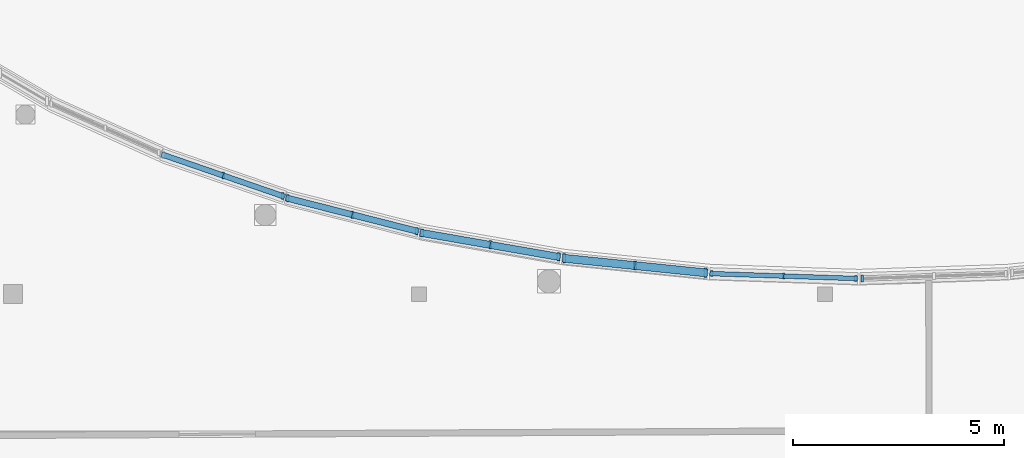
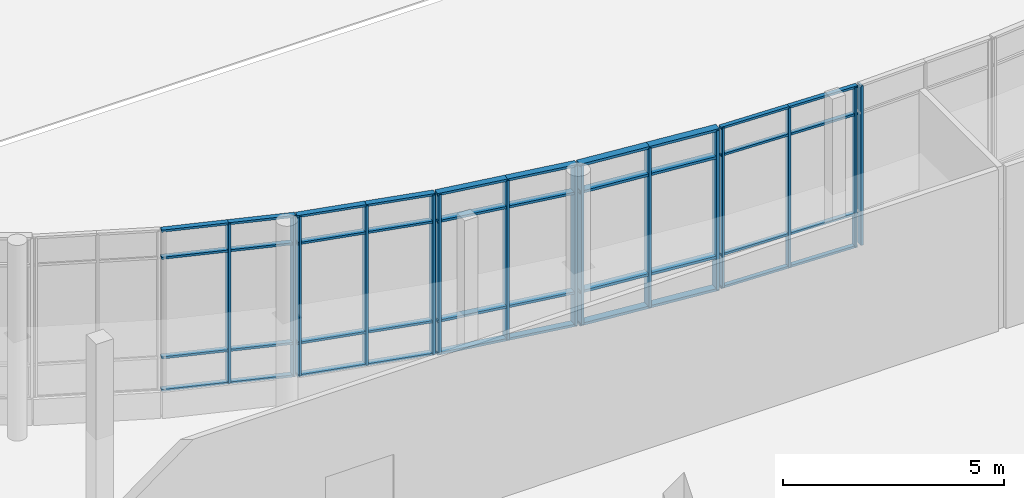
# One storey, part 13 of 84: 55 members, 6 elements without a shape of their own.
"""IFC4 building model written with IfcOpenShell, lengths in metres."""

from ifc_helpers import new_model, si_unit, direction, frame, origin, origin_2d, place, context, subcontext, project, spatial, rectangle, extrude, material, material_profile, profile_set, type_object, element, aggregate, save


model = new_model("IFC4")

# Units and contexts
model_context = context("Model", 3, precision=1e-05, world=origin(), true_north=direction((0.0, 1.0)))
body_context = subcontext(model_context, "Body", "Model", "MODEL_VIEW")
ifc_project = project(units=[si_unit("LENGTHUNIT", "METRE"), si_unit("AREAUNIT", "SQUARE_METRE"), si_unit("VOLUMEUNIT", "CUBIC_METRE"), si_unit("PLANEANGLEUNIT", "RADIAN"), si_unit("MASSUNIT", "GRAM", prefix="KILO")], contexts=[model_context])

# Site, building, storey
site_placement = place(None, origin())
site = spatial("IfcSite", under=ifc_project, at=site_placement, CompositionType="ELEMENT")
building_placement = place(site_placement, origin())
building = spatial("IfcBuilding", under=site, at=building_placement, Name="Mzevani Central Library", CompositionType="ELEMENT")
storey_placement = place(building_placement, origin())
storey = spatial("IfcBuildingStorey", under=building, at=storey_placement, Name="L00", CompositionType="ELEMENT", Elevation=0.0)

# Curtain wall, members
ifc_material_1 = material(Name="Thermally broken aluminium and Low-E triple glazing", Category="aluminium")
curtain_wall_type_1 = type_object("IfcCurtainWallType", Name="Elliptical Court Unitised Curtain Wall", PredefinedType="NOTDEFINED", material=ifc_material_1)
curtain_wall_1_placement = place(storey_placement, origin())
curtain_wall_1 = element("IfcCurtainWall", 1, at=curtain_wall_1_placement, inside=storey, type_object=curtain_wall_type_1, Name="L00 Elliptical Court Curtain Wall 36", PredefinedType="NOTDEFINED")
ifc_material_2 = material(Name="Thermally broken aluminium AW-6060", Category="aluminium")
ifc_material_profile_1 = material_profile(ifc_material_2, rectangle(XDim=0.06005859375, YDim=0.139892578125, at=origin_2d()), Name="ALU M60x140")
ifc_profile_set_1 = profile_set([ifc_material_profile_1], Name="Thermally broken aluminium AW-6060")
member_type_1 = type_object("IfcMemberType", Name="CW Mullion 60x140", PredefinedType="MULLION", material=ifc_profile_set_1)
member_1_placement = place(storey_placement, frame((80.524169921875, 62.0859375, 0.719970703125), z_axis=(0.0, 0.0, 1.0), x_axis=(1.0, 0.0, 0.0)))
member_1 = element("IfcMember", 2, at=member_1_placement, type_object=member_type_1, Name="L00 Elliptical Court Curtain Wall 36 Mullion 1", PredefinedType="MULLION", context=body_context, shape_type="SweptSolid", body=[
    extrude(rectangle(XDim=0.06005859375, YDim=0.139892578125, at=origin_2d()), origin(), (0.0, 0.0, 1.0), 4.400146484375),
])
member_2_placement = place(storey_placement, frame((82.22314453125, 62.028564453125, 0.719970703125), z_axis=(0.0, 0.0, 1.0), x_axis=(1.0, 0.0, 0.0)))
member_2 = element("IfcMember", 3, at=member_2_placement, type_object=member_type_1, Name="L00 Elliptical Court Curtain Wall 36 Mullion 2", PredefinedType="MULLION", context=body_context, shape_type="SweptSolid", body=[
    extrude(rectangle(XDim=0.06005859375, YDim=0.139892578125, at=origin_2d()), origin(), (0.0, 0.0, 1.0), 4.400146484375),
])
member_3_placement = place(storey_placement, frame((83.922119140625, 61.97119140625, 0.719970703125), z_axis=(0.0, 0.0, 1.0), x_axis=(1.0, 0.0, 0.0)))
member_3 = element("IfcMember", 4, at=member_3_placement, type_object=member_type_1, Name="L00 Elliptical Court Curtain Wall 36 Mullion 3", PredefinedType="MULLION", context=body_context, shape_type="SweptSolid", body=[
    extrude(rectangle(XDim=0.06005859375, YDim=0.139892578125, at=origin_2d()), origin(), (0.0, 0.0, 1.0), 4.400146484375),
])

curtain_wall_2_placement = place(storey_placement, origin())
curtain_wall_2 = element("IfcCurtainWall", 5, at=curtain_wall_2_placement, inside=storey, type_object=curtain_wall_type_1, Name="L00 Elliptical Court Curtain Wall 32", PredefinedType="NOTDEFINED")
ifc_material_profile_2 = material_profile(ifc_material_2, rectangle(XDim=0.06005859375, YDim=0.159912109375, at=origin_2d()), Name="ALU M60x160")
ifc_profile_set_2 = profile_set([ifc_material_profile_2], Name="Thermally broken aluminium AW-6060")
member_type_2 = type_object("IfcMemberType", Name="CW Mullion 60x160", PredefinedType="MULLION", material=ifc_profile_set_2)
member_4_placement = place(storey_placement, frame((68.968505859375, 64.40576171875, 0.719970703125), z_axis=(0.0, 0.0, 1.0), x_axis=(1.0, 0.0, 0.0)))
member_4 = element("IfcMember", 6, at=member_4_placement, type_object=member_type_2, Name="L00 Elliptical Court Curtain Wall 32 Mullion 2", PredefinedType="MULLION", context=body_context, shape_type="SweptSolid", body=[
    extrude(rectangle(XDim=0.06005859375, YDim=0.159912109375, at=origin_2d()), origin(), (0.0, 0.0, 1.0), 4.400146484375),
])
member_5_placement = place(storey_placement, frame((70.37841796875, 63.920166015625, 0.719970703125), z_axis=(0.0, 0.0, 1.0), x_axis=(1.0, 0.0, 0.0)))
member_5 = element("IfcMember", 7, at=member_5_placement, type_object=member_type_2, Name="L00 Elliptical Court Curtain Wall 32 Mullion 3", PredefinedType="MULLION", context=body_context, shape_type="SweptSolid", body=[
    extrude(rectangle(XDim=0.06005859375, YDim=0.159912109375, at=origin_2d()), origin(), (0.0, 0.0, 1.0), 4.400146484375),
])

# Curtain wall, member
curtain_wall_type_2 = type_object("IfcCurtainWallType", Name="Reading Hall Northlight Curtain Wall", PredefinedType="NOTDEFINED", material=ifc_material_1)
curtain_wall_3_placement = place(storey_placement, origin())
curtain_wall_3 = element("IfcCurtainWall", 8, at=curtain_wall_3_placement, inside=storey, type_object=curtain_wall_type_2, Name="L00 Elliptical Court Curtain Wall 37", PredefinedType="NOTDEFINED")
member_6_placement = place(storey_placement, frame((84.077880859375, 61.97119140625, 0.719970703125), z_axis=(0.0, 0.0, 1.0), x_axis=(1.0, 0.0, 0.0)))
member_6 = element("IfcMember", 9, at=member_6_placement, type_object=member_type_2, Name="L00 Elliptical Court Curtain Wall 37 Mullion 1", PredefinedType="MULLION", context=body_context, shape_type="SweptSolid", body=[
    extrude(rectangle(XDim=0.06005859375, YDim=0.159912109375, at=origin_2d()), origin(), (0.0, 0.0, 1.0), 4.400146484375),
])
aggregate(curtain_wall_3, [member_6])

# Curtain wall, members
curtain_wall_4_placement = place(storey_placement, origin())
curtain_wall_4 = element("IfcCurtainWall", 10, at=curtain_wall_4_placement, inside=storey, type_object=curtain_wall_type_1, Name="L00 Elliptical Court Curtain Wall 33", PredefinedType="NOTDEFINED")
ifc_material_profile_3 = material_profile(ifc_material_2, rectangle(XDim=0.06005859375, YDim=0.179931640625, at=origin_2d()), Name="ALU M60x180")
ifc_profile_set_3 = profile_set([ifc_material_profile_3], Name="Thermally broken aluminium AW-6060")
member_type_3 = type_object("IfcMemberType", Name="CW Mullion 60x180", PredefinedType="MULLION", material=ifc_profile_set_3)
member_7_placement = place(storey_placement, frame((70.496337890625, 63.866943359375, 0.719970703125), z_axis=(0.0, 0.0, 1.0), x_axis=(1.0, 0.0, 0.0)))
member_7 = element("IfcMember", 11, at=member_7_placement, type_object=member_type_3, Name="L00 Elliptical Court Curtain Wall 33 Mullion 1", PredefinedType="MULLION", context=body_context, shape_type="SweptSolid", body=[
    extrude(rectangle(XDim=0.06005859375, YDim=0.179931640625, at=origin_2d()), origin(), (0.0, 0.0, 1.0), 4.400146484375),
])
member_8_placement = place(storey_placement, frame((72.02001953125, 63.479736328125, 0.719970703125), z_axis=(0.0, 0.0, 1.0), x_axis=(1.0, 0.0, 0.0)))
member_8 = element("IfcMember", 12, at=member_8_placement, type_object=member_type_3, Name="L00 Elliptical Court Curtain Wall 33 Mullion 2", PredefinedType="MULLION", context=body_context, shape_type="SweptSolid", body=[
    extrude(rectangle(XDim=0.06005859375, YDim=0.179931640625, at=origin_2d()), origin(), (0.0, 0.0, 1.0), 4.400146484375),
])
member_9_placement = place(storey_placement, frame((73.54345703125, 63.092529296875, 0.719970703125), z_axis=(0.0, 0.0, 1.0), x_axis=(1.0, 0.0, 0.0)))
member_9 = element("IfcMember", 13, at=member_9_placement, type_object=member_type_3, Name="L00 Elliptical Court Curtain Wall 33 Mullion 3", PredefinedType="MULLION", context=body_context, shape_type="SweptSolid", body=[
    extrude(rectangle(XDim=0.06005859375, YDim=0.179931640625, at=origin_2d()), origin(), (0.0, 0.0, 1.0), 4.400146484375),
])

curtain_wall_5_placement = place(storey_placement, origin())
curtain_wall_5 = element("IfcCurtainWall", 14, at=curtain_wall_5_placement, inside=storey, type_object=curtain_wall_type_2, Name="L00 Elliptical Court Curtain Wall 34", PredefinedType="NOTDEFINED")
ifc_material_profile_4 = material_profile(ifc_material_2, rectangle(XDim=0.06494140625, YDim=0.199951171875, at=origin_2d()), Name="ALU M65x200")
ifc_profile_set_4 = profile_set([ifc_material_profile_4], Name="Thermally broken aluminium AW-6060")
member_type_4 = type_object("IfcMemberType", Name="CW Mullion 65x200", PredefinedType="MULLION", material=ifc_profile_set_4)
member_10_placement = place(storey_placement, frame((73.67236328125, 63.046875, 0.719970703125), z_axis=(0.0, 0.0, 1.0), x_axis=(1.0, 0.0, 0.0)))
member_10 = element("IfcMember", 15, at=member_10_placement, type_object=member_type_4, Name="L00 Elliptical Court Curtain Wall 34 Mullion 1", PredefinedType="MULLION", context=body_context, shape_type="SweptSolid", body=[
    extrude(rectangle(XDim=0.06494140625, YDim=0.199951171875, at=origin_2d()), origin(), (0.0, 0.0, 1.0), 4.400146484375),
])
member_11_placement = place(storey_placement, frame((75.282958984375, 62.764892578125, 0.719970703125), z_axis=(0.0, 0.0, 1.0), x_axis=(1.0, 0.0, 0.0)))
member_11 = element("IfcMember", 16, at=member_11_placement, type_object=member_type_4, Name="L00 Elliptical Court Curtain Wall 34 Mullion 2", PredefinedType="MULLION", context=body_context, shape_type="SweptSolid", body=[
    extrude(rectangle(XDim=0.06494140625, YDim=0.199951171875, at=origin_2d()), origin(), (0.0, 0.0, 1.0), 4.400146484375),
])
member_12_placement = place(storey_placement, frame((76.893310546875, 62.483154296875, 0.719970703125), z_axis=(0.0, 0.0, 1.0), x_axis=(1.0, 0.0, 0.0)))
member_12 = element("IfcMember", 17, at=member_12_placement, type_object=member_type_4, Name="L00 Elliptical Court Curtain Wall 34 Mullion 3", PredefinedType="MULLION", context=body_context, shape_type="SweptSolid", body=[
    extrude(rectangle(XDim=0.06494140625, YDim=0.199951171875, at=origin_2d()), origin(), (0.0, 0.0, 1.0), 4.400146484375),
])

curtain_wall_6_placement = place(storey_placement, origin())
curtain_wall_6 = element("IfcCurtainWall", 18, at=curtain_wall_6_placement, inside=storey, type_object=curtain_wall_type_1, Name="L00 Elliptical Court Curtain Wall 35", PredefinedType="NOTDEFINED")
ifc_material_profile_5 = material_profile(ifc_material_2, rectangle(XDim=0.070068359375, YDim=0.219970703125, at=origin_2d()), Name="ALU M70x220")
ifc_profile_set_5 = profile_set([ifc_material_profile_5], Name="Thermally broken aluminium AW-6060")
member_type_5 = type_object("IfcMemberType", Name="CW Mullion 70x220", PredefinedType="MULLION", material=ifc_profile_set_5)
member_13_placement = place(storey_placement, frame((77.0341796875, 62.447998046875, 0.719970703125), z_axis=(0.0, 0.0, 1.0), x_axis=(1.0, 0.0, 0.0)))
member_13 = element("IfcMember", 19, at=member_13_placement, type_object=member_type_5, Name="L00 Elliptical Court Curtain Wall 35 Mullion 1", PredefinedType="MULLION", context=body_context, shape_type="SweptSolid", body=[
    extrude(rectangle(XDim=0.070068359375, YDim=0.219970703125, at=origin_2d()), origin(), (0.0, 0.0, 1.0), 4.400146484375),
])
member_14_placement = place(storey_placement, frame((78.70361328125, 62.27685546875, 0.719970703125), z_axis=(0.0, 0.0, 1.0), x_axis=(1.0, 0.0, 0.0)))
member_14 = element("IfcMember", 20, at=member_14_placement, type_object=member_type_5, Name="L00 Elliptical Court Curtain Wall 35 Mullion 2", PredefinedType="MULLION", context=body_context, shape_type="SweptSolid", body=[
    extrude(rectangle(XDim=0.070068359375, YDim=0.219970703125, at=origin_2d()), origin(), (0.0, 0.0, 1.0), 4.400146484375),
])
member_15_placement = place(storey_placement, frame((80.373046875, 62.105712890625, 0.719970703125), z_axis=(0.0, 0.0, 1.0), x_axis=(1.0, 0.0, 0.0)))
member_15 = element("IfcMember", 21, at=member_15_placement, type_object=member_type_5, Name="L00 Elliptical Court Curtain Wall 35 Mullion 3", PredefinedType="MULLION", context=body_context, shape_type="SweptSolid", body=[
    extrude(rectangle(XDim=0.070068359375, YDim=0.219970703125, at=origin_2d()), origin(), (0.0, 0.0, 1.0), 4.400146484375),
])

# Member
ifc_material_profile_6 = material_profile(ifc_material_2, rectangle(XDim=0.110107421875, YDim=0.06005859375, at=origin_2d()), Name="ALU T60x110")
ifc_profile_set_6 = profile_set([ifc_material_profile_6], Name="Thermally broken aluminium AW-6060")
member_type_6 = type_object("IfcMemberType", Name="CW Transom 60x110", PredefinedType="USERDEFINED", material=ifc_profile_set_6)
member_16_placement = place(storey_placement, frame((80.47412109375, 62.087646484375, 0.719970703125), z_axis=(0.999429943241, -0.033760754643, 0.0), x_axis=(0.033760754643, 0.999429943241, 0.0)))
member_16 = element("IfcMember", 22, at=member_16_placement, type_object=member_type_6, Name="L00 Elliptical Court Curtain Wall 36 Transom 1", ObjectType="TRANSOM", PredefinedType="USERDEFINED", context=body_context, shape_type="SweptSolid", body=[
    extrude(rectangle(XDim=0.110107421875, YDim=0.06005859375, at=origin_2d()), origin(), (0.0, 0.0, 1.0), 1.75),
])

member_17_placement = place(storey_placement, frame((80.47412109375, 62.087646484375, 1.6201171875), z_axis=(0.999429943241, -0.033760754643, 0.0), x_axis=(0.033760754643, 0.999429943241, 0.0)))
member_17 = element("IfcMember", 23, at=member_17_placement, type_object=member_type_6, Name="L00 Elliptical Court Curtain Wall 36 Transom 2", ObjectType="TRANSOM", PredefinedType="USERDEFINED", context=body_context, shape_type="SweptSolid", body=[
    extrude(rectangle(XDim=0.110107421875, YDim=0.06005859375, at=origin_2d()), origin(), (0.0, 0.0, 1.0), 1.75),
])

member_18_placement = place(storey_placement, frame((80.47412109375, 62.087646484375, 4.3701171875), z_axis=(0.999429943241, -0.033760754643, 0.0), x_axis=(0.033760754643, 0.999429943241, 0.0)))
member_18 = element("IfcMember", 24, at=member_18_placement, type_object=member_type_6, Name="L00 Elliptical Court Curtain Wall 36 Transom 3", ObjectType="TRANSOM", PredefinedType="USERDEFINED", context=body_context, shape_type="SweptSolid", body=[
    extrude(rectangle(XDim=0.110107421875, YDim=0.06005859375, at=origin_2d()), origin(), (0.0, 0.0, 1.0), 1.75),
])

member_19_placement = place(storey_placement, frame((80.47412109375, 62.087646484375, 5.1201171875), z_axis=(0.999429943241, -0.033760754643, 0.0), x_axis=(0.033760754643, 0.999429943241, 0.0)))
member_19 = element("IfcMember", 25, at=member_19_placement, type_object=member_type_6, Name="L00 Elliptical Court Curtain Wall 36 Transom 4", ObjectType="TRANSOM", PredefinedType="USERDEFINED", context=body_context, shape_type="SweptSolid", body=[
    extrude(rectangle(XDim=0.110107421875, YDim=0.06005859375, at=origin_2d()), origin(), (0.0, 0.0, 1.0), 1.75),
])

member_20_placement = place(storey_placement, frame((82.22314453125, 62.028564453125, 0.719970703125), z_axis=(0.999429943241, -0.033760754643, 0.0), x_axis=(0.033760754643, 0.999429943241, 0.0)))
member_20 = element("IfcMember", 26, at=member_20_placement, type_object=member_type_6, Name="L00 Elliptical Court Curtain Wall 36 Transom 5", ObjectType="TRANSOM", PredefinedType="USERDEFINED", context=body_context, shape_type="SweptSolid", body=[
    extrude(rectangle(XDim=0.110107421875, YDim=0.06005859375, at=origin_2d()), origin(), (0.0, 0.0, 1.0), 1.75),
])

member_21_placement = place(storey_placement, frame((82.22314453125, 62.028564453125, 1.6201171875), z_axis=(0.999429943241, -0.033760754643, 0.0), x_axis=(0.033760754643, 0.999429943241, 0.0)))
member_21 = element("IfcMember", 27, at=member_21_placement, type_object=member_type_6, Name="L00 Elliptical Court Curtain Wall 36 Transom 6", ObjectType="TRANSOM", PredefinedType="USERDEFINED", context=body_context, shape_type="SweptSolid", body=[
    extrude(rectangle(XDim=0.110107421875, YDim=0.06005859375, at=origin_2d()), origin(), (0.0, 0.0, 1.0), 1.75),
])

member_22_placement = place(storey_placement, frame((82.22314453125, 62.028564453125, 4.3701171875), z_axis=(0.999429943241, -0.033760754643, 0.0), x_axis=(0.033760754643, 0.999429943241, 0.0)))
member_22 = element("IfcMember", 28, at=member_22_placement, type_object=member_type_6, Name="L00 Elliptical Court Curtain Wall 36 Transom 7", ObjectType="TRANSOM", PredefinedType="USERDEFINED", context=body_context, shape_type="SweptSolid", body=[
    extrude(rectangle(XDim=0.110107421875, YDim=0.06005859375, at=origin_2d()), origin(), (0.0, 0.0, 1.0), 1.75),
])

member_23_placement = place(storey_placement, frame((82.22314453125, 62.028564453125, 5.1201171875), z_axis=(0.999429943241, -0.033760754643, 0.0), x_axis=(0.033760754643, 0.999429943241, 0.0)))
member_23 = element("IfcMember", 29, at=member_23_placement, type_object=member_type_6, Name="L00 Elliptical Court Curtain Wall 36 Transom 8", ObjectType="TRANSOM", PredefinedType="USERDEFINED", context=body_context, shape_type="SweptSolid", body=[
    extrude(rectangle(XDim=0.110107421875, YDim=0.06005859375, at=origin_2d()), origin(), (0.0, 0.0, 1.0), 1.75),
])

aggregate(curtain_wall_1, [member_1, member_2, member_3, member_16, member_17, member_18, member_19, member_20, member_21, member_22, member_23])

ifc_material_profile_7 = material_profile(ifc_material_2, rectangle(XDim=0.1298828125, YDim=0.06005859375, at=origin_2d()), Name="ALU T60x130")
ifc_profile_set_7 = profile_set([ifc_material_profile_7], Name="Thermally broken aluminium AW-6060")
member_type_7 = type_object("IfcMemberType", Name="CW Transom 60x130", PredefinedType="USERDEFINED", material=ifc_profile_set_7)
member_24_placement = place(storey_placement, frame((67.510986328125, 64.90771484375, 0.719970703125), z_axis=(0.945500820927, -0.325619713204, 0.0), x_axis=(0.325619713204, 0.945500820927, 0.0)))
member_24 = element("IfcMember", 30, at=member_24_placement, type_object=member_type_7, Name="L00 Elliptical Court Curtain Wall 32 Transom 1", ObjectType="TRANSOM", PredefinedType="USERDEFINED", context=body_context, shape_type="SweptSolid", body=[
    extrude(rectangle(XDim=0.1298828125, YDim=0.06005859375, at=origin_2d()), origin(), (0.0, 0.0, 1.0), 1.54150390625),
])

member_25_placement = place(storey_placement, frame((67.510986328125, 64.90771484375, 1.6201171875), z_axis=(0.945500820927, -0.325619713204, 0.0), x_axis=(0.325619713204, 0.945500820927, 0.0)))
member_25 = element("IfcMember", 31, at=member_25_placement, type_object=member_type_7, Name="L00 Elliptical Court Curtain Wall 32 Transom 2", ObjectType="TRANSOM", PredefinedType="USERDEFINED", context=body_context, shape_type="SweptSolid", body=[
    extrude(rectangle(XDim=0.1298828125, YDim=0.06005859375, at=origin_2d()), origin(), (0.0, 0.0, 1.0), 1.54150390625),
])

member_26_placement = place(storey_placement, frame((67.510986328125, 64.90771484375, 4.3701171875), z_axis=(0.945500820927, -0.325619713204, 0.0), x_axis=(0.325619713204, 0.945500820927, 0.0)))
member_26 = element("IfcMember", 32, at=member_26_placement, type_object=member_type_7, Name="L00 Elliptical Court Curtain Wall 32 Transom 3", ObjectType="TRANSOM", PredefinedType="USERDEFINED", context=body_context, shape_type="SweptSolid", body=[
    extrude(rectangle(XDim=0.1298828125, YDim=0.06005859375, at=origin_2d()), origin(), (0.0, 0.0, 1.0), 1.54150390625),
])

member_27_placement = place(storey_placement, frame((67.510986328125, 64.90771484375, 5.1201171875), z_axis=(0.945500820927, -0.325619713204, 0.0), x_axis=(0.325619713204, 0.945500820927, 0.0)))
member_27 = element("IfcMember", 33, at=member_27_placement, type_object=member_type_7, Name="L00 Elliptical Court Curtain Wall 32 Transom 4", ObjectType="TRANSOM", PredefinedType="USERDEFINED", context=body_context, shape_type="SweptSolid", body=[
    extrude(rectangle(XDim=0.1298828125, YDim=0.06005859375, at=origin_2d()), origin(), (0.0, 0.0, 1.0), 1.54150390625),
])

member_28_placement = place(storey_placement, frame((68.968505859375, 64.40576171875, 0.719970703125), z_axis=(0.945484024902, -0.325668479678, 0.0), x_axis=(0.325668479678, 0.945484024902, 0.0)))
member_28 = element("IfcMember", 34, at=member_28_placement, type_object=member_type_7, Name="L00 Elliptical Court Curtain Wall 32 Transom 5", ObjectType="TRANSOM", PredefinedType="USERDEFINED", context=body_context, shape_type="SweptSolid", body=[
    extrude(rectangle(XDim=0.1298828125, YDim=0.06005859375, at=origin_2d()), origin(), (0.0, 0.0, 1.0), 1.541259765625),
])

member_29_placement = place(storey_placement, frame((68.968505859375, 64.40576171875, 1.6201171875), z_axis=(0.945484024902, -0.325668479678, 0.0), x_axis=(0.325668479678, 0.945484024902, 0.0)))
member_29 = element("IfcMember", 35, at=member_29_placement, type_object=member_type_7, Name="L00 Elliptical Court Curtain Wall 32 Transom 6", ObjectType="TRANSOM", PredefinedType="USERDEFINED", context=body_context, shape_type="SweptSolid", body=[
    extrude(rectangle(XDim=0.1298828125, YDim=0.06005859375, at=origin_2d()), origin(), (0.0, 0.0, 1.0), 1.541259765625),
])

member_30_placement = place(storey_placement, frame((68.968505859375, 64.40576171875, 4.3701171875), z_axis=(0.945484024902, -0.325668479678, 0.0), x_axis=(0.325668479678, 0.945484024902, 0.0)))
member_30 = element("IfcMember", 36, at=member_30_placement, type_object=member_type_7, Name="L00 Elliptical Court Curtain Wall 32 Transom 7", ObjectType="TRANSOM", PredefinedType="USERDEFINED", context=body_context, shape_type="SweptSolid", body=[
    extrude(rectangle(XDim=0.1298828125, YDim=0.06005859375, at=origin_2d()), origin(), (0.0, 0.0, 1.0), 1.541259765625),
])

member_31_placement = place(storey_placement, frame((68.968505859375, 64.40576171875, 5.1201171875), z_axis=(0.945484024902, -0.325668479678, 0.0), x_axis=(0.325668479678, 0.945484024902, 0.0)))
member_31 = element("IfcMember", 37, at=member_31_placement, type_object=member_type_7, Name="L00 Elliptical Court Curtain Wall 32 Transom 8", ObjectType="TRANSOM", PredefinedType="USERDEFINED", context=body_context, shape_type="SweptSolid", body=[
    extrude(rectangle(XDim=0.1298828125, YDim=0.06005859375, at=origin_2d()), origin(), (0.0, 0.0, 1.0), 1.541259765625),
])

aggregate(curtain_wall_2, [member_4, member_5, member_24, member_25, member_26, member_27, member_28, member_29, member_30, member_31])

ifc_material_profile_8 = material_profile(ifc_material_2, rectangle(XDim=0.14990234375, YDim=0.06005859375, at=origin_2d()), Name="ALU T60x150")
ifc_profile_set_8 = profile_set([ifc_material_profile_8], Name="Thermally broken aluminium AW-6060")
member_type_8 = type_object("IfcMemberType", Name="CW Transom 60x150", PredefinedType="USERDEFINED", material=ifc_profile_set_8)
member_32_placement = place(storey_placement, frame((70.447998046875, 63.879150390625, 0.719970703125), z_axis=(0.969205683279, -0.246252601001, 0.0), x_axis=(0.246252601001, 0.969205683279, 0.0)))
member_32 = element("IfcMember", 38, at=member_32_placement, type_object=member_type_8, Name="L00 Elliptical Court Curtain Wall 33 Transom 1", ObjectType="TRANSOM", PredefinedType="USERDEFINED", context=body_context, shape_type="SweptSolid", body=[
    extrude(rectangle(XDim=0.14990234375, YDim=0.06005859375, at=origin_2d()), origin(), (0.0, 0.0, 1.0), 1.6220703125),
])

member_33_placement = place(storey_placement, frame((70.447998046875, 63.879150390625, 1.6201171875), z_axis=(0.969205683279, -0.246252601001, 0.0), x_axis=(0.246252601001, 0.969205683279, 0.0)))
member_33 = element("IfcMember", 39, at=member_33_placement, type_object=member_type_8, Name="L00 Elliptical Court Curtain Wall 33 Transom 2", ObjectType="TRANSOM", PredefinedType="USERDEFINED", context=body_context, shape_type="SweptSolid", body=[
    extrude(rectangle(XDim=0.14990234375, YDim=0.06005859375, at=origin_2d()), origin(), (0.0, 0.0, 1.0), 1.6220703125),
])

member_34_placement = place(storey_placement, frame((70.447998046875, 63.879150390625, 4.3701171875), z_axis=(0.969205683279, -0.246252601001, 0.0), x_axis=(0.246252601001, 0.969205683279, 0.0)))
member_34 = element("IfcMember", 40, at=member_34_placement, type_object=member_type_8, Name="L00 Elliptical Court Curtain Wall 33 Transom 3", ObjectType="TRANSOM", PredefinedType="USERDEFINED", context=body_context, shape_type="SweptSolid", body=[
    extrude(rectangle(XDim=0.14990234375, YDim=0.06005859375, at=origin_2d()), origin(), (0.0, 0.0, 1.0), 1.6220703125),
])

member_35_placement = place(storey_placement, frame((70.447998046875, 63.879150390625, 5.1201171875), z_axis=(0.969205683279, -0.246252601001, 0.0), x_axis=(0.246252601001, 0.969205683279, 0.0)))
member_35 = element("IfcMember", 41, at=member_35_placement, type_object=member_type_8, Name="L00 Elliptical Court Curtain Wall 33 Transom 4", ObjectType="TRANSOM", PredefinedType="USERDEFINED", context=body_context, shape_type="SweptSolid", body=[
    extrude(rectangle(XDim=0.14990234375, YDim=0.06005859375, at=origin_2d()), origin(), (0.0, 0.0, 1.0), 1.6220703125),
])

member_36_placement = place(storey_placement, frame((72.02001953125, 63.479736328125, 0.719970703125), z_axis=(0.969169749502, -0.246393986634, 0.0), x_axis=(0.246393986634, 0.969169749502, 0.0)))
member_36 = element("IfcMember", 42, at=member_36_placement, type_object=member_type_8, Name="L00 Elliptical Court Curtain Wall 33 Transom 5", ObjectType="TRANSOM", PredefinedType="USERDEFINED", context=body_context, shape_type="SweptSolid", body=[
    extrude(rectangle(XDim=0.14990234375, YDim=0.06005859375, at=origin_2d()), origin(), (0.0, 0.0, 1.0), 1.6220703125),
])

member_37_placement = place(storey_placement, frame((72.02001953125, 63.479736328125, 1.6201171875), z_axis=(0.969169749502, -0.246393986634, 0.0), x_axis=(0.246393986634, 0.969169749502, 0.0)))
member_37 = element("IfcMember", 43, at=member_37_placement, type_object=member_type_8, Name="L00 Elliptical Court Curtain Wall 33 Transom 6", ObjectType="TRANSOM", PredefinedType="USERDEFINED", context=body_context, shape_type="SweptSolid", body=[
    extrude(rectangle(XDim=0.14990234375, YDim=0.06005859375, at=origin_2d()), origin(), (0.0, 0.0, 1.0), 1.6220703125),
])

member_38_placement = place(storey_placement, frame((72.02001953125, 63.479736328125, 4.3701171875), z_axis=(0.969169749502, -0.246393986634, 0.0), x_axis=(0.246393986634, 0.969169749502, 0.0)))
member_38 = element("IfcMember", 44, at=member_38_placement, type_object=member_type_8, Name="L00 Elliptical Court Curtain Wall 33 Transom 7", ObjectType="TRANSOM", PredefinedType="USERDEFINED", context=body_context, shape_type="SweptSolid", body=[
    extrude(rectangle(XDim=0.14990234375, YDim=0.06005859375, at=origin_2d()), origin(), (0.0, 0.0, 1.0), 1.6220703125),
])

member_39_placement = place(storey_placement, frame((72.02001953125, 63.479736328125, 5.1201171875), z_axis=(0.969169749502, -0.246393986634, 0.0), x_axis=(0.246393986634, 0.969169749502, 0.0)))
member_39 = element("IfcMember", 45, at=member_39_placement, type_object=member_type_8, Name="L00 Elliptical Court Curtain Wall 33 Transom 8", ObjectType="TRANSOM", PredefinedType="USERDEFINED", context=body_context, shape_type="SweptSolid", body=[
    extrude(rectangle(XDim=0.14990234375, YDim=0.06005859375, at=origin_2d()), origin(), (0.0, 0.0, 1.0), 1.6220703125),
])

aggregate(curtain_wall_4, [member_7, member_8, member_9, member_32, member_33, member_34, member_35, member_36, member_37, member_38, member_39])

ifc_material_profile_9 = material_profile(ifc_material_2, rectangle(XDim=0.169921875, YDim=0.06494140625, at=origin_2d()), Name="ALU T65x170")
ifc_profile_set_9 = profile_set([ifc_material_profile_9], Name="Thermally broken aluminium AW-6060")
member_type_9 = type_object("IfcMemberType", Name="CW Transom 65x170", PredefinedType="USERDEFINED", material=ifc_profile_set_9)
member_40_placement = place(storey_placement, frame((73.623046875, 63.055419921875, 0.719970703125), z_axis=(0.985026161799, -0.172404931981, 0.0), x_axis=(0.172404931981, 0.985026161799, 0.0)))
member_40 = element("IfcMember", 46, at=member_40_placement, type_object=member_type_9, Name="L00 Elliptical Court Curtain Wall 34 Transom 1", ObjectType="TRANSOM", PredefinedType="USERDEFINED", context=body_context, shape_type="SweptSolid", body=[
    extrude(rectangle(XDim=0.169921875, YDim=0.06494140625, at=origin_2d()), origin(), (0.0, 0.0, 1.0), 1.68505859375),
])

member_41_placement = place(storey_placement, frame((73.623046875, 63.055419921875, 1.6201171875), z_axis=(0.985026161799, -0.172404931981, 0.0), x_axis=(0.172404931981, 0.985026161799, 0.0)))
member_41 = element("IfcMember", 47, at=member_41_placement, type_object=member_type_9, Name="L00 Elliptical Court Curtain Wall 34 Transom 2", ObjectType="TRANSOM", PredefinedType="USERDEFINED", context=body_context, shape_type="SweptSolid", body=[
    extrude(rectangle(XDim=0.169921875, YDim=0.06494140625, at=origin_2d()), origin(), (0.0, 0.0, 1.0), 1.68505859375),
])

member_42_placement = place(storey_placement, frame((73.623046875, 63.055419921875, 4.3701171875), z_axis=(0.985026161799, -0.172404931981, 0.0), x_axis=(0.172404931981, 0.985026161799, 0.0)))
member_42 = element("IfcMember", 48, at=member_42_placement, type_object=member_type_9, Name="L00 Elliptical Court Curtain Wall 34 Transom 3", ObjectType="TRANSOM", PredefinedType="USERDEFINED", context=body_context, shape_type="SweptSolid", body=[
    extrude(rectangle(XDim=0.169921875, YDim=0.06494140625, at=origin_2d()), origin(), (0.0, 0.0, 1.0), 1.68505859375),
])

member_43_placement = place(storey_placement, frame((73.623046875, 63.055419921875, 5.1201171875), z_axis=(0.985026161799, -0.172404931981, 0.0), x_axis=(0.172404931981, 0.985026161799, 0.0)))
member_43 = element("IfcMember", 49, at=member_43_placement, type_object=member_type_9, Name="L00 Elliptical Court Curtain Wall 34 Transom 4", ObjectType="TRANSOM", PredefinedType="USERDEFINED", context=body_context, shape_type="SweptSolid", body=[
    extrude(rectangle(XDim=0.169921875, YDim=0.06494140625, at=origin_2d()), origin(), (0.0, 0.0, 1.0), 1.68505859375),
])

member_44_placement = place(storey_placement, frame((75.282958984375, 62.764892578125, 0.719970703125), z_axis=(0.985046455782, -0.172288943208, 0.0), x_axis=(0.172288943208, 0.985046455782, 0.0)))
member_44 = element("IfcMember", 50, at=member_44_placement, type_object=member_type_9, Name="L00 Elliptical Court Curtain Wall 34 Transom 5", ObjectType="TRANSOM", PredefinedType="USERDEFINED", context=body_context, shape_type="SweptSolid", body=[
    extrude(rectangle(XDim=0.169921875, YDim=0.06494140625, at=origin_2d()), origin(), (0.0, 0.0, 1.0), 1.684814453125),
])

member_45_placement = place(storey_placement, frame((75.282958984375, 62.764892578125, 1.6201171875), z_axis=(0.985046455782, -0.172288943208, 0.0), x_axis=(0.172288943208, 0.985046455782, 0.0)))
member_45 = element("IfcMember", 51, at=member_45_placement, type_object=member_type_9, Name="L00 Elliptical Court Curtain Wall 34 Transom 6", ObjectType="TRANSOM", PredefinedType="USERDEFINED", context=body_context, shape_type="SweptSolid", body=[
    extrude(rectangle(XDim=0.169921875, YDim=0.06494140625, at=origin_2d()), origin(), (0.0, 0.0, 1.0), 1.684814453125),
])

member_46_placement = place(storey_placement, frame((75.282958984375, 62.764892578125, 4.3701171875), z_axis=(0.985046455782, -0.172288943208, 0.0), x_axis=(0.172288943208, 0.985046455782, 0.0)))
member_46 = element("IfcMember", 52, at=member_46_placement, type_object=member_type_9, Name="L00 Elliptical Court Curtain Wall 34 Transom 7", ObjectType="TRANSOM", PredefinedType="USERDEFINED", context=body_context, shape_type="SweptSolid", body=[
    extrude(rectangle(XDim=0.169921875, YDim=0.06494140625, at=origin_2d()), origin(), (0.0, 0.0, 1.0), 1.684814453125),
])

member_47_placement = place(storey_placement, frame((75.282958984375, 62.764892578125, 5.1201171875), z_axis=(0.985046455782, -0.172288943208, 0.0), x_axis=(0.172288943208, 0.985046455782, 0.0)))
member_47 = element("IfcMember", 53, at=member_47_placement, type_object=member_type_9, Name="L00 Elliptical Court Curtain Wall 34 Transom 8", ObjectType="TRANSOM", PredefinedType="USERDEFINED", context=body_context, shape_type="SweptSolid", body=[
    extrude(rectangle(XDim=0.169921875, YDim=0.06494140625, at=origin_2d()), origin(), (0.0, 0.0, 1.0), 1.684814453125),
])

aggregate(curtain_wall_5, [member_10, member_11, member_12, member_40, member_41, member_42, member_43, member_44, member_45, member_46, member_47])

ifc_material_profile_10 = material_profile(ifc_material_2, rectangle(XDim=0.18994140625, YDim=0.070068359375, at=origin_2d()), Name="ALU T70x190")
ifc_profile_set_10 = profile_set([ifc_material_profile_10], Name="Thermally broken aluminium AW-6060")
member_type_10 = type_object("IfcMemberType", Name="CW Transom 70x190", PredefinedType="USERDEFINED", material=ifc_profile_set_10)
member_48_placement = place(storey_placement, frame((76.984375, 62.453125, 0.719970703125), z_axis=(0.994785114337, -0.101993020811, 0.0), x_axis=(0.101993020811, 0.994785114337, 0.0)))
member_48 = element("IfcMember", 54, at=member_48_placement, type_object=member_type_10, Name="L00 Elliptical Court Curtain Wall 35 Transom 1", ObjectType="TRANSOM", PredefinedType="USERDEFINED", context=body_context, shape_type="SweptSolid", body=[
    extrude(rectangle(XDim=0.18994140625, YDim=0.070068359375, at=origin_2d()), origin(), (0.0, 0.0, 1.0), 1.728271484375),
])

member_49_placement = place(storey_placement, frame((76.984375, 62.453125, 1.6201171875), z_axis=(0.994785114337, -0.101993020811, 0.0), x_axis=(0.101993020811, 0.994785114337, 0.0)))
member_49 = element("IfcMember", 55, at=member_49_placement, type_object=member_type_10, Name="L00 Elliptical Court Curtain Wall 35 Transom 2", ObjectType="TRANSOM", PredefinedType="USERDEFINED", context=body_context, shape_type="SweptSolid", body=[
    extrude(rectangle(XDim=0.18994140625, YDim=0.070068359375, at=origin_2d()), origin(), (0.0, 0.0, 1.0), 1.728271484375),
])

member_50_placement = place(storey_placement, frame((76.984375, 62.453125, 4.3701171875), z_axis=(0.994785114337, -0.101993020811, 0.0), x_axis=(0.101993020811, 0.994785114337, 0.0)))
member_50 = element("IfcMember", 56, at=member_50_placement, type_object=member_type_10, Name="L00 Elliptical Court Curtain Wall 35 Transom 3", ObjectType="TRANSOM", PredefinedType="USERDEFINED", context=body_context, shape_type="SweptSolid", body=[
    extrude(rectangle(XDim=0.18994140625, YDim=0.070068359375, at=origin_2d()), origin(), (0.0, 0.0, 1.0), 1.728271484375),
])

member_51_placement = place(storey_placement, frame((76.984375, 62.453125, 5.1201171875), z_axis=(0.994785114337, -0.101993020811, 0.0), x_axis=(0.101993020811, 0.994785114337, 0.0)))
member_51 = element("IfcMember", 57, at=member_51_placement, type_object=member_type_10, Name="L00 Elliptical Court Curtain Wall 35 Transom 4", ObjectType="TRANSOM", PredefinedType="USERDEFINED", context=body_context, shape_type="SweptSolid", body=[
    extrude(rectangle(XDim=0.18994140625, YDim=0.070068359375, at=origin_2d()), origin(), (0.0, 0.0, 1.0), 1.728271484375),
])

member_52_placement = place(storey_placement, frame((78.70361328125, 62.27685546875, 0.719970703125), z_axis=(0.994783644511, -0.102007355679, 0.0), x_axis=(0.102007355679, 0.994783644511, 0.0)))
member_52 = element("IfcMember", 58, at=member_52_placement, type_object=member_type_10, Name="L00 Elliptical Court Curtain Wall 35 Transom 5", ObjectType="TRANSOM", PredefinedType="USERDEFINED", context=body_context, shape_type="SweptSolid", body=[
    extrude(rectangle(XDim=0.18994140625, YDim=0.070068359375, at=origin_2d()), origin(), (0.0, 0.0, 1.0), 1.72802734375),
])

member_53_placement = place(storey_placement, frame((78.70361328125, 62.27685546875, 1.6201171875), z_axis=(0.994783644511, -0.102007355679, 0.0), x_axis=(0.102007355679, 0.994783644511, 0.0)))
member_53 = element("IfcMember", 59, at=member_53_placement, type_object=member_type_10, Name="L00 Elliptical Court Curtain Wall 35 Transom 6", ObjectType="TRANSOM", PredefinedType="USERDEFINED", context=body_context, shape_type="SweptSolid", body=[
    extrude(rectangle(XDim=0.18994140625, YDim=0.070068359375, at=origin_2d()), origin(), (0.0, 0.0, 1.0), 1.72802734375),
])

member_54_placement = place(storey_placement, frame((78.70361328125, 62.27685546875, 4.3701171875), z_axis=(0.994783644511, -0.102007355679, 0.0), x_axis=(0.102007355679, 0.994783644511, 0.0)))
member_54 = element("IfcMember", 60, at=member_54_placement, type_object=member_type_10, Name="L00 Elliptical Court Curtain Wall 35 Transom 7", ObjectType="TRANSOM", PredefinedType="USERDEFINED", context=body_context, shape_type="SweptSolid", body=[
    extrude(rectangle(XDim=0.18994140625, YDim=0.070068359375, at=origin_2d()), origin(), (0.0, 0.0, 1.0), 1.72802734375),
])

member_55_placement = place(storey_placement, frame((78.70361328125, 62.27685546875, 5.1201171875), z_axis=(0.994783644511, -0.102007355679, 0.0), x_axis=(0.102007355679, 0.994783644511, 0.0)))
member_55 = element("IfcMember", 61, at=member_55_placement, type_object=member_type_10, Name="L00 Elliptical Court Curtain Wall 35 Transom 8", ObjectType="TRANSOM", PredefinedType="USERDEFINED", context=body_context, shape_type="SweptSolid", body=[
    extrude(rectangle(XDim=0.18994140625, YDim=0.070068359375, at=origin_2d()), origin(), (0.0, 0.0, 1.0), 1.72802734375),
])

aggregate(curtain_wall_6, [member_13, member_14, member_15, member_48, member_49, member_50, member_51, member_52, member_53, member_54, member_55])

save(model, "model.ifc")
